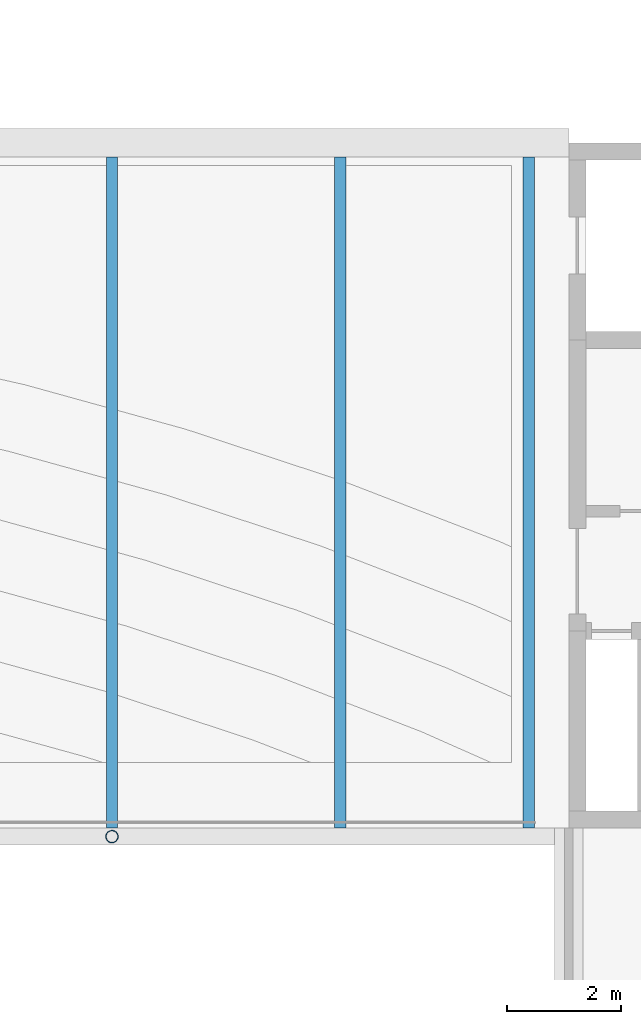
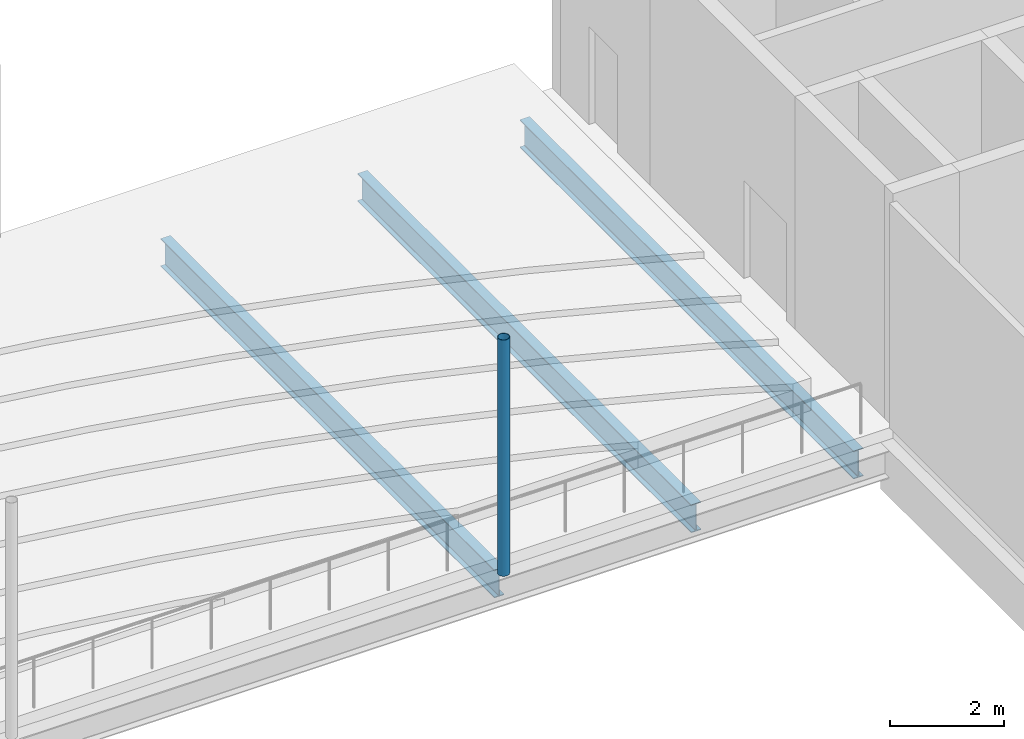
# One storey, part 28 of 69: 3 beams, 1 member.
"""IFC4 building model written with IfcOpenShell, lengths in metres."""

from ifc_helpers import new_model, si_unit, direction, frame, origin, origin_2d, place, context, subcontext, project, spatial, hollow_circle, i_section, extrude, material, material_profile, profile_set, type_object, element, save


model = new_model("IFC4")

# Units and contexts
model_context = context("Model", 3, precision=1e-05, world=origin(), true_north=direction((0.0, 1.0)))
body_context = subcontext(model_context, "Body", "Model", "MODEL_VIEW")
ifc_project = project(units=[si_unit("LENGTHUNIT", "METRE"), si_unit("AREAUNIT", "SQUARE_METRE"), si_unit("VOLUMEUNIT", "CUBIC_METRE"), si_unit("PLANEANGLEUNIT", "RADIAN"), si_unit("MASSUNIT", "GRAM", prefix="KILO")], contexts=[model_context])

# Site, building, storey
site_placement = place(None, origin())
site = spatial("IfcSite", under=ifc_project, at=site_placement, CompositionType="ELEMENT")
building_placement = place(site_placement, origin())
building = spatial("IfcBuilding", under=site, at=building_placement, Name="Lilac Gate Convention Centre", CompositionType="ELEMENT")
storey_placement = place(building_placement, frame((0.0, 0.0, 12.0)))
storey = spatial("IfcBuildingStorey", under=building, at=storey_placement, Name="L02", CompositionType="ELEMENT", Elevation=12.0)

# Beams
ifc_material = material(Name="Steel Q355B", Category="steel")
ifc_material_profile_1 = material_profile(ifc_material, i_section(OverallWidth=0.199951171875, OverallDepth=0.60009765625, WebThickness=0.010986328125, FlangeThickness=0.01708984375, FilletRadius=0.012939453125, at=origin_2d()), Name="HN600x200x11x17")
ifc_profile_set_1 = profile_set([ifc_material_profile_1], Name="Steel Q355B")
beam_type = type_object("IfcBeamType", Name="Balcony beam HN600x200x11x17", PredefinedType="BEAM", material=ifc_profile_set_1)
for number, where, z_axis, x_axis, name in (
    (1, (70.0, 150.0009765625, -0.550048828125), (0.0, 1.0, 0.0), (-1.0, 0.0, 0.0), "BB2 L02 balcony beam 11"),
    (2, (74.0, 150.0009765625, -0.550048828125), (0.0, 1.0, 0.0), (-1.0, 0.0, 0.0), "BB2 L02 balcony beam 12"),
    (3, (77.300048828125, 150.0009765625, -0.550048828125), (0.0, 1.0, 0.0), (-1.0, 0.0, 0.0), "BB2 L02 balcony beam 13"),
):
    element("IfcBeam", number, at=place(storey_placement, frame(where, z_axis=z_axis, x_axis=x_axis)), inside=storey, type_object=beam_type, Name=name, PredefinedType="BEAM", context=body_context, shape_type="SweptSolid", body=[
        extrude(i_section(OverallWidth=0.199951171875, OverallDepth=0.60009765625, WebThickness=0.010986328125, FlangeThickness=0.01708984375, FilletRadius=0.012939453125, at=origin_2d()), origin(), (0.0, 0.0, 1.0), 11.7490234375),
    ])

# Member
ifc_material_profile_2 = material_profile(ifc_material, hollow_circle(Radius=0.109619140625, WallThickness=0.008056640625, at=origin_2d()), Name="CHS219.1x8")
ifc_profile_set_2 = profile_set([ifc_material_profile_2], Name="Steel Q355B")
member_type = type_object("IfcMemberType", Name="Balcony hanger CHS219.1x8", PredefinedType="STRUT", material=ifc_profile_set_2)
member_placement = place(storey_placement, frame((70.0, 149.85009765625, -0.25), z_axis=(0.0, 0.0, 1.0), x_axis=(1.0, 0.0, 0.0)))
element("IfcMember", 4, at=member_placement, inside=storey, type_object=member_type, Name="HG2 L02 balcony hanger 4", PredefinedType="STRUT", context=body_context, shape_type="SweptSolid", body=[
    extrude(hollow_circle(Radius=0.109619140625, WallThickness=0.008056640625, at=origin_2d()), origin(), (0.0, 0.0, 1.0), 5.074951171875),
])

save(model, "model.ifc")
